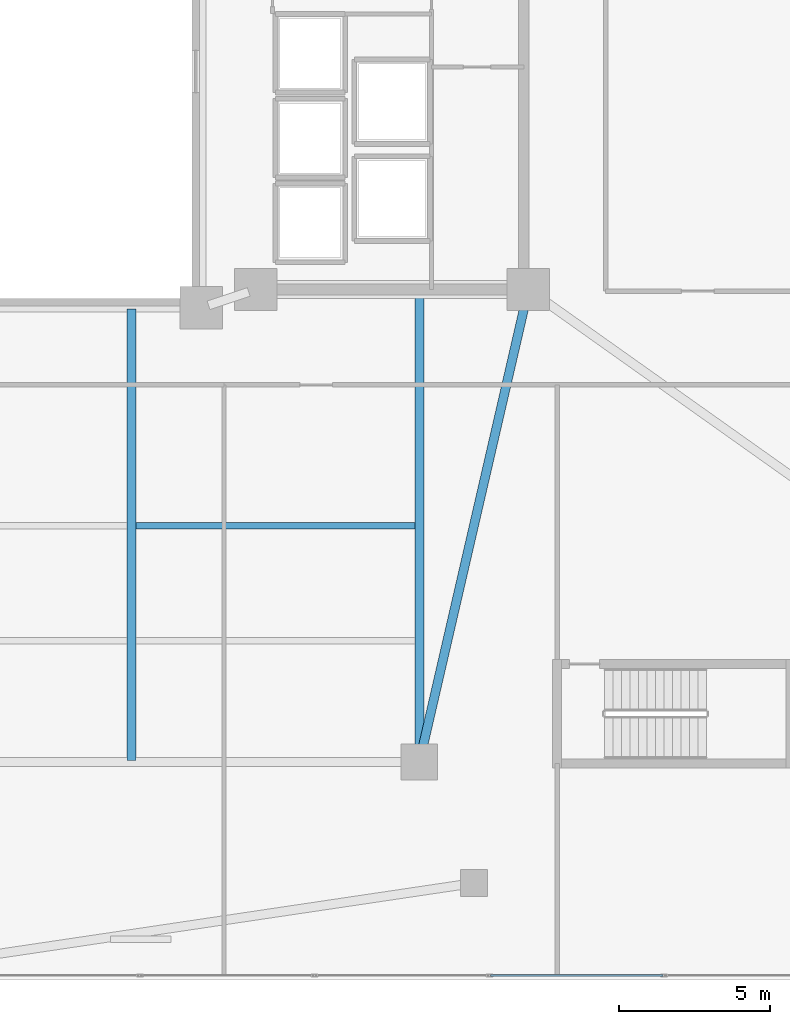
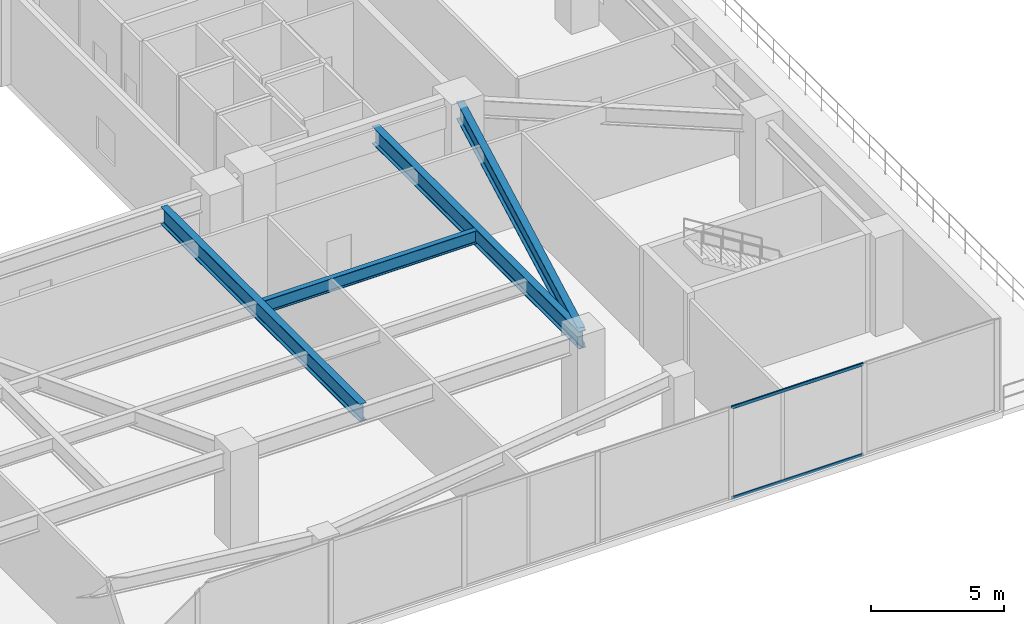
# One storey, part 7 of 27: 4 beams, 2 members, 1 element without a shape of its own.
"""IFC4 building model written with IfcOpenShell, lengths in metres."""

from ifc_helpers import new_model, si_unit, direction, frame, origin, origin_2d, place, context, subcontext, project, spatial, hollow_rectangle, i_section, extrude, material, layer, layer_set, material_profile, profile_set, type_object, element, aggregate, save


model = new_model("IFC4")

# Units and contexts
model_context = context("Model", 3, precision=1e-05, world=origin(), true_north=direction((0.0, 1.0)))
body_context = subcontext(model_context, "Body", "Model", "MODEL_VIEW")
ifc_project = project(units=[si_unit("LENGTHUNIT", "METRE"), si_unit("AREAUNIT", "SQUARE_METRE"), si_unit("VOLUMEUNIT", "CUBIC_METRE"), si_unit("PLANEANGLEUNIT", "RADIAN"), si_unit("MASSUNIT", "GRAM", prefix="KILO")], contexts=[model_context])

# Site, building, storey
site_placement = place(None, origin())
site = spatial("IfcSite", under=ifc_project, at=site_placement, CompositionType="ELEMENT")
building_placement = place(site_placement, origin())
building = spatial("IfcBuilding", under=site, at=building_placement, Name="Tarnavaz Court Tower", CompositionType="ELEMENT")
storey_placement = place(building_placement, frame((0.0, 0.0, 9.89990234375)))
storey = spatial("IfcBuildingStorey", under=building, at=storey_placement, Name="L02", CompositionType="ELEMENT", Elevation=9.89990234375)

# Beams
ifc_material_1 = material(Name="Steel S355", Category="steel")
ifc_material_profile_1 = material_profile(ifc_material_1, i_section(OverallWidth=0.300048828125, OverallDepth=0.800048828125, WebThickness=0.017578125, FlangeThickness=0.032958984375, FilletRadius=0.030029296875, at=origin_2d()), Name="HEB 800")
ifc_profile_set_1 = profile_set([ifc_material_profile_1], Name="Steel S355")
beam_type_1 = type_object("IfcBeamType", Name="BM-G-HEB800", PredefinedType="USERDEFINED", material=ifc_profile_set_1)
beam_1_placement = place(storey_placement, frame((18.543701171875, -7.443603515625, 3.800048828125), z_axis=(-0.224858357084, -0.97439146099, 0.0), x_axis=(0.97439146099, -0.224858357084, 0.0)))
element("IfcBeam", 1, at=beam_1_placement, inside=storey, type_object=beam_type_1, Name="L02 Beam PM-CE-SO-PM-S3", ObjectType="GIRDER", PredefinedType="USERDEFINED", context=body_context, shape_type="SweptSolid", body=[
    extrude(i_section(OverallWidth=0.300048828125, OverallDepth=0.800048828125, WebThickness=0.017578125, FlangeThickness=0.032958984375, FilletRadius=0.030029296875, at=origin_2d()), origin(), (0.0, 0.0, 1.0), 15.510009765625),
])
beam_2_placement = place(storey_placement, frame((5.5, -7.840087890625, 3.800048828125), z_axis=(0.0, -1.0, 0.0), x_axis=(1.0, 0.0, 0.0)))
element("IfcBeam", 2, at=beam_2_placement, inside=storey, type_object=beam_type_1, Name="L02 Beam PM-NS-SCE", ObjectType="GIRDER", PredefinedType="USERDEFINED", context=body_context, shape_type="SweptSolid", body=[
    extrude(i_section(OverallWidth=0.300048828125, OverallDepth=0.800048828125, WebThickness=0.017578125, FlangeThickness=0.032958984375, FilletRadius=0.030029296875, at=origin_2d()), origin(), (0.0, 0.0, 1.0), 14.919921875),
])
beam_3_placement = place(storey_placement, frame((15.0, -7.239990234375, 3.800048828125), z_axis=(0.0, -1.0, 0.0), x_axis=(1.0, 0.0, 0.0)))
element("IfcBeam", 3, at=beam_3_placement, inside=storey, type_object=beam_type_1, Name="L02 Beam PM-NS-SE", ObjectType="GIRDER", PredefinedType="USERDEFINED", context=body_context, shape_type="SweptSolid", body=[
    extrude(i_section(OverallWidth=0.300048828125, OverallDepth=0.800048828125, WebThickness=0.017578125, FlangeThickness=0.032958984375, FilletRadius=0.030029296875, at=origin_2d()), origin(), (0.0, 0.0, 1.0), 15.52001953125),
])
ifc_material_profile_2 = material_profile(ifc_material_1, i_section(OverallWidth=0.219970703125, OverallDepth=0.60009765625, WebThickness=0.011962890625, FlangeThickness=0.01904296875, FilletRadius=0.02392578125, at=origin_2d()), Name="IPE 600")
ifc_profile_set_2 = profile_set([ifc_material_profile_2], Name="Steel S355")
beam_type_2 = type_object("IfcBeamType", Name="BM-J-IPE600", PredefinedType="JOIST", material=ifc_profile_set_2)
beam_4_placement = place(storey_placement, frame((5.64990234375, -15.0, 3.900146484375), z_axis=(1.0, 0.0, 0.0), x_axis=(0.0, 1.0, 0.0)))
element("IfcBeam", 4, at=beam_4_placement, inside=storey, type_object=beam_type_2, Name="L02 Beam PJS-1-3", PredefinedType="JOIST", context=body_context, shape_type="SweptSolid", body=[
    extrude(i_section(OverallWidth=0.219970703125, OverallDepth=0.60009765625, WebThickness=0.011962890625, FlangeThickness=0.01904296875, FilletRadius=0.02392578125, at=origin_2d()), origin(), (0.0, 0.0, 1.0), 9.2001953125),
])

# Curtain wall, members
ifc_material_2 = material(Name="Anodised Aluminium 6063-T6 and Solar Low-E Glazing", Category="aluminium")
ifc_layer = layer(ifc_material_2, 0.18994140625)
ifc_layer_set = layer_set([ifc_layer], Name="Anodised Aluminium 6063-T6 and Solar Low-E Glazing")
curtain_wall_type = type_object("IfcCurtainWallType", Name="CW-SYS-01", PredefinedType="NOTDEFINED", material=ifc_layer_set)
curtain_wall_placement = place(storey_placement, origin())
curtain_wall = element("IfcCurtainWall", 5, at=curtain_wall_placement, inside=storey, type_object=curtain_wall_type, Name="L02 Clinic South Curtain Wall 3", PredefinedType="NOTDEFINED")
ifc_material_3 = material(Name="Anodised Aluminium 6063-T6", Category="aluminium")
ifc_material_profile_3 = material_profile(ifc_material_3, hollow_rectangle(XDim=0.06494140625, YDim=0.139892578125, WallThickness=0.00390625, InnerFilletRadius=0.00390625, OuterFilletRadius=0.008056640625, at=origin_2d()), Name="ALU RHS 140X65X4")
ifc_profile_set_3 = profile_set([ifc_material_profile_3], Name="Anodised Aluminium 6063-T6")
member_type = type_object("IfcMemberType", Name="CW-TRN-140", PredefinedType="USERDEFINED", material=ifc_profile_set_3)
member_1_placement = place(storey_placement, frame((23.03759765625, -29.85009765625, 0.03271484375), z_axis=(-1.0, 0.0, 0.0), x_axis=(0.0, -1.0, 0.0)))
member_1 = element("IfcMember", 6, at=member_1_placement, type_object=member_type, Name="CW transom 2.1", ObjectType="TRANSOM", PredefinedType="USERDEFINED", context=body_context, shape_type="SweptSolid", body=[
    extrude(hollow_rectangle(XDim=0.06494140625, YDim=0.139892578125, WallThickness=0.00390625, InnerFilletRadius=0.00390625, OuterFilletRadius=0.008056640625, at=origin_2d()), origin(), (0.0, 0.0, 1.0), 5.68505859375),
])
member_2_placement = place(storey_placement, frame((23.03759765625, -29.85009765625, 4.16748046875), z_axis=(-1.0, 0.0, 0.0), x_axis=(0.0, -1.0, 0.0)))
member_2 = element("IfcMember", 7, at=member_2_placement, type_object=member_type, Name="CW transom 2.2", ObjectType="TRANSOM", PredefinedType="USERDEFINED", context=body_context, shape_type="SweptSolid", body=[
    extrude(hollow_rectangle(XDim=0.06494140625, YDim=0.139892578125, WallThickness=0.00390625, InnerFilletRadius=0.00390625, OuterFilletRadius=0.008056640625, at=origin_2d()), origin(), (0.0, 0.0, 1.0), 5.68505859375),
])
aggregate(curtain_wall, [member_1, member_2])

save(model, "model.ifc")
